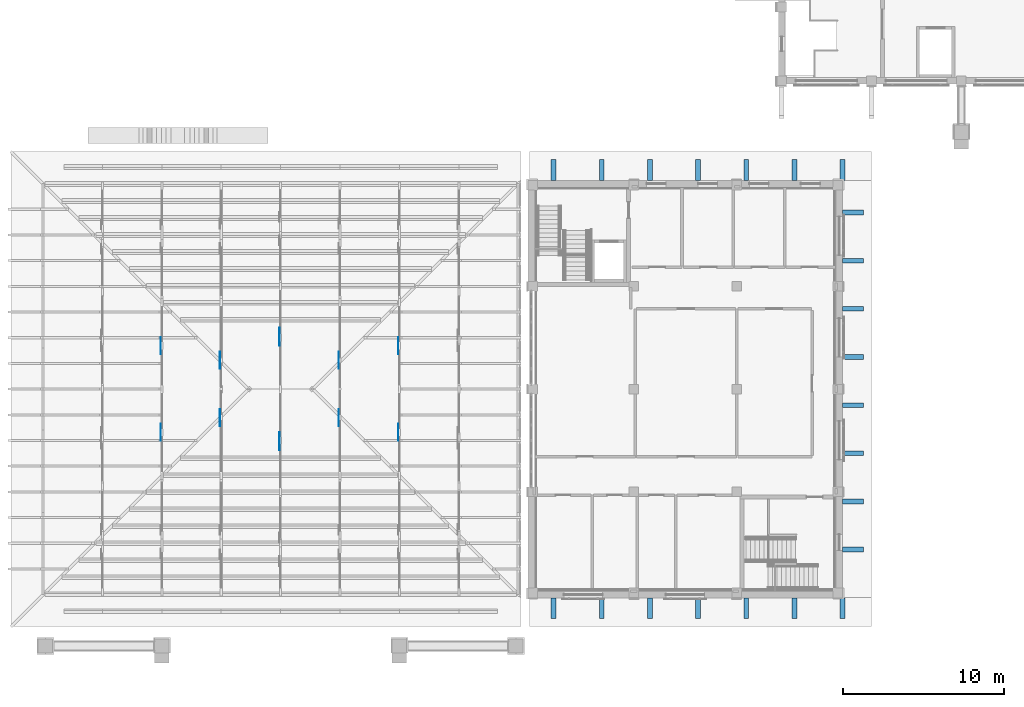
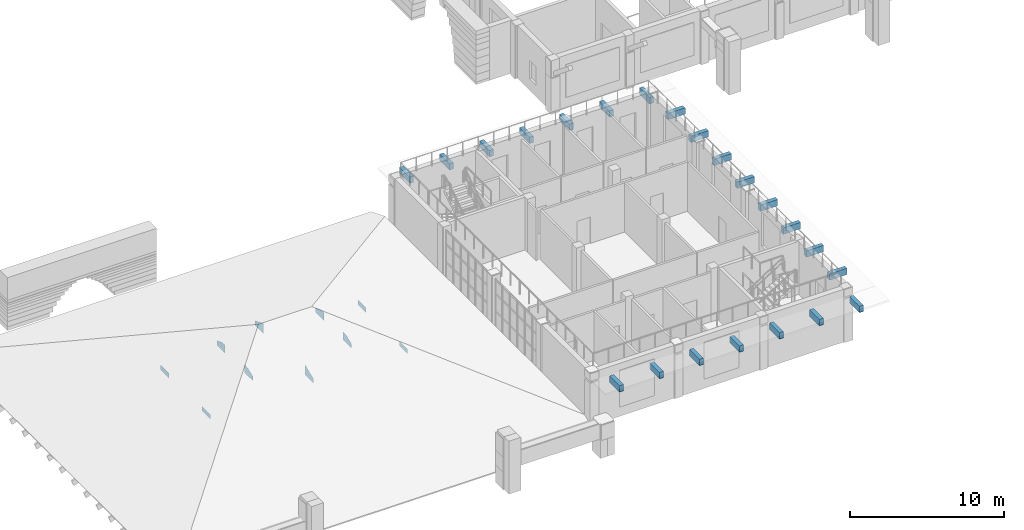
# One storey, part 34 of 68: 32 discrete accessories.
"""IFC4 building model written with IfcOpenShell, lengths in metres."""

from ifc_helpers import new_model, si_unit, direction, frame, origin, origin_2d, place, context, subcontext, project, spatial, polyline, rectangle, outline, extrude, element, save


model = new_model("IFC4")

# Units and contexts
model_context = context("Model", 3, precision=1e-05, world=origin(), true_north=direction((0.0, 1.0)))
body_context = subcontext(model_context, "Body", "Model", "MODEL_VIEW")
ifc_project = project(units=[si_unit("LENGTHUNIT", "METRE"), si_unit("AREAUNIT", "SQUARE_METRE"), si_unit("VOLUMEUNIT", "CUBIC_METRE"), si_unit("PLANEANGLEUNIT", "RADIAN"), si_unit("MASSUNIT", "GRAM", prefix="KILO")], contexts=[model_context])

# Site, building, storey
site_placement = place(None, origin())
site = spatial("IfcSite", under=ifc_project, at=site_placement, CompositionType="ELEMENT")
building_placement = place(site_placement, origin())
building = spatial("IfcBuilding", under=site, at=building_placement, Name="Wasatch Bagh Community Centre", CompositionType="ELEMENT")
storey_placement = place(building_placement, frame((0.0, 0.0, 8.39990234375)))
storey = spatial("IfcBuildingStorey", under=building, at=storey_placement, Name="L02", CompositionType="ELEMENT", Elevation=8.39990234375)

# Discrete accessories
discrete_accessory_1_placement = place(storey_placement, frame((73.5224609375, 15.767822265625, 2.988525390625), z_axis=(-1.0, 0.0, 0.0), x_axis=(0.0, 0.999998316644, 0.001834859297)))
element("IfcDiscreteAccessory", 1, at=discrete_accessory_1_placement, inside=storey, Name="Gusset plate", PredefinedType="BRACKET", context=body_context, shape_type="SweptSolid", body=[
    extrude(outline(polyline([(0.0, 0.0), (0.532227458428145, 0.0), (1.0642089847874836, 0.0009761128924024564), (1.0635648129934152, 0.3520497406596026), (-0.000642379939286426, 0.3500970669111022), (0.0, 0.0)])), origin(), (0.0, 0.0, -1.0), 0.011962890625),
])
discrete_accessory_2_placement = place(storey_placement, frame((73.5224609375, 21.16796875, 2.989501953125), z_axis=(-1.0, 0.0, 0.0), x_axis=(0.0, 1.0, 0.0)))
element("IfcDiscreteAccessory", 2, at=discrete_accessory_2_placement, inside=storey, Name="Gusset plate", PredefinedType="BRACKET", context=body_context, shape_type="SweptSolid", body=[
    extrude(outline(polyline([(0.0, 0.0), (0.531982421875, 0.0), (1.064208984375, 0.0009765625), (1.064208984375, 0.35107421875), (0.0, 0.35107421875), (0.0, 0.0)])), origin(), (0.0, 0.0, -1.0), 0.011962890625),
])
discrete_accessory_3_placement = place(storey_placement, frame((77.222412109375, 16.67431640625, 4.195556640625), z_axis=(-1.0, 0.0, 0.0), x_axis=(0.0, 0.927123436593, 0.374756098443)))
element("IfcDiscreteAccessory", 3, at=discrete_accessory_3_placement, inside=storey, Name="Gusset plate", PredefinedType="BRACKET", context=body_context, shape_type="SweptSolid", body=[
    extrude(outline(polyline([(0.0, 0.0), (0.6749181362242391, 0.0), (1.0964163028626952, 0.1350889857133798), (0.8581680410594048, 0.7245004673753813), (-0.13120123173038348, 0.3245837422055723), (0.0, 0.0)])), origin(), (0.0, 0.0, -1.0), 0.011962890625),
])
discrete_accessory_4_placement = place(storey_placement, frame((77.222412109375, 20.258544921875, 4.481201171875), z_axis=(-1.0, 0.0, 0.0), x_axis=(0.0, 0.997264743618, -0.0739123206)))
element("IfcDiscreteAccessory", 4, at=discrete_accessory_4_placement, inside=storey, Name="Gusset plate", PredefinedType="BRACKET", context=body_context, shape_type="SweptSolid", body=[
    extrude(outline(polyline([(0.0, 0.0), (0.4426169207572723, 0.0), (1.085332424183689, 0.20598852458262956), (1.1112089543937504, 0.5551285739840567), (0.04698918038145063, 0.6340032696243488), (0.0, 0.0)])), origin(), (0.0, 0.0, -1.0), 0.011962890625),
])
discrete_accessory_5_placement = place(storey_placement, frame((80.92236328125, 15.19384765625, 3.593505859375), z_axis=(-1.0, 0.0, 0.0), x_axis=(0.0, 0.925386584054, 0.379024629876)))
element("IfcDiscreteAccessory", 5, at=discrete_accessory_5_placement, inside=storey, Name="Gusset plate", PredefinedType="BRACKET", context=body_context, shape_type="SweptSolid", body=[
    extrude(outline(polyline([(0.0, 0.0), (0.6550788419898153, 2.7755575615628914e-17), (1.197205827170472, 0.002016669234483237), (0.893319869037209, 0.7439525925824595), (-0.13260309927069602, 0.32374974974349874), (0.0, 0.0)])), origin(), (0.0, 0.0, -1.0), 0.011962890625),
])
discrete_accessory_6_placement = place(storey_placement, frame((80.92236328125, 21.697509765625, 4.04541015625), z_axis=(-1.0, 0.0, 0.0), x_axis=(0.0, 0.926790113159, -0.375579666849)))
element("IfcDiscreteAccessory", 6, at=discrete_accessory_6_placement, inside=storey, Name="Gusset plate", PredefinedType="BRACKET", context=body_context, shape_type="SweptSolid", body=[
    extrude(outline(polyline([(0.0, 0.0), (0.5421307360921986, 0.0), (1.1972050457014904, 0.0024368242913588856), (1.3286029125458079, 0.32667760362661646), (0.3011239321121687, 0.7430612137731932), (0.0, 0.0)])), origin(), (0.0, 0.0, -1.0), 0.011962890625),
])
discrete_accessory_7_placement = place(storey_placement, frame((84.622314453125, 16.67431640625, 4.195556640625), z_axis=(-1.0, 0.0, 0.0), x_axis=(0.0, 0.927123436593, 0.374756098443)))
element("IfcDiscreteAccessory", 7, at=discrete_accessory_7_placement, inside=storey, Name="Gusset plate", PredefinedType="BRACKET", context=body_context, shape_type="SweptSolid", body=[
    extrude(outline(polyline([(0.0, 0.0), (0.6749181362242391, 0.0), (1.0964163028626952, 0.1350889857133798), (0.8581680410594048, 0.7245004673753813), (-0.13120123173038348, 0.3245837422055723), (0.0, 0.0)])), origin(), (0.0, 0.0, -1.0), 0.011962890625),
])
discrete_accessory_8_placement = place(storey_placement, frame((84.622314453125, 20.258544921875, 4.481201171875), z_axis=(-1.0, 0.0, 0.0), x_axis=(0.0, 0.997264743618, -0.0739123206)))
element("IfcDiscreteAccessory", 8, at=discrete_accessory_8_placement, inside=storey, Name="Gusset plate", PredefinedType="BRACKET", context=body_context, shape_type="SweptSolid", body=[
    extrude(outline(polyline([(0.0, 0.0), (0.4426169207572723, 0.0), (1.085332424183689, 0.20598852458262956), (1.1112089543937504, 0.5551285739840567), (0.04698918038145063, 0.6340032696243488), (0.0, 0.0)])), origin(), (0.0, 0.0, -1.0), 0.011962890625),
])
discrete_accessory_9_placement = place(storey_placement, frame((88.322509765625, 15.767822265625, 2.988525390625), z_axis=(-1.0, 0.0, 0.0), x_axis=(0.0, 0.999998316644, 0.001834859297)))
element("IfcDiscreteAccessory", 9, at=discrete_accessory_9_placement, inside=storey, Name="Gusset plate", PredefinedType="BRACKET", context=body_context, shape_type="SweptSolid", body=[
    extrude(outline(polyline([(0.0, 0.0), (0.532227458428145, 0.0), (1.0642089847874836, 0.0009761128924024564), (1.0635648129934152, 0.3520497406596026), (-0.000642379939286426, 0.3500970669111022), (0.0, 0.0)])), origin(), (0.0, 0.0, -1.0), 0.011962890625),
])
discrete_accessory_10_placement = place(storey_placement, frame((88.322509765625, 21.16796875, 2.989501953125), z_axis=(-1.0, 0.0, 0.0), x_axis=(0.0, 1.0, 0.0)))
element("IfcDiscreteAccessory", 10, at=discrete_accessory_10_placement, inside=storey, Name="Gusset plate", PredefinedType="BRACKET", context=body_context, shape_type="SweptSolid", body=[
    extrude(outline(polyline([(0.0, 0.0), (0.531982421875, 0.0), (1.064208984375, 0.0009765625), (1.064208984375, 0.35107421875), (0.0, 0.35107421875), (0.0, 0.0)])), origin(), (0.0, 0.0, -1.0), 0.011962890625),
])
for number, where, z_axis, x_axis, name in (
    (11, (98.0, 5.35009765625, 2.97021484375), (0.0, 0.0, 1.0), (1.0, 0.0, 0.0), "Fixing bracket"),
    (12, (101.0, 5.35009765625, 2.97021484375), (0.0, 0.0, 1.0), (1.0, 0.0, 0.0), "Fixing bracket"),
    (13, (104.0, 5.35009765625, 2.97021484375), (0.0, 0.0, 1.0), (1.0, 0.0, 0.0), "Fixing bracket"),
    (14, (107.0, 5.35009765625, 2.97021484375), (0.0, 0.0, 1.0), (1.0, 0.0, 0.0), "Fixing bracket"),
    (15, (110.0, 5.35009765625, 2.97021484375), (0.0, 0.0, 1.0), (1.0, 0.0, 0.0), "Fixing bracket"),
    (16, (113.0, 5.35009765625, 2.97021484375), (0.0, 0.0, 1.0), (1.0, 0.0, 0.0), "Fixing bracket"),
    (17, (116.0, 5.35009765625, 2.97021484375), (0.0, 0.0, 1.0), (1.0, 0.0, 0.0), "Fixing bracket"),
):
    element("IfcDiscreteAccessory", number, at=place(storey_placement, frame(where, z_axis=z_axis, x_axis=x_axis)), inside=storey, Name=name, PredefinedType="BRACKET", context=body_context, shape_type="SweptSolid", body=[
        extrude(rectangle(XDim=0.300048828125, YDim=1.300048828125, at=origin_2d()), origin(), (0.0, 0.0, 1.0), 0.5),
    ])
for number, where, z_axis, x_axis, name in (
    (18, (116.64990234375, 9.0, 2.97021484375), (0.0, 0.0, 1.0), (1.0, 0.0, 0.0), "Fixing bracket"),
    (19, (116.64990234375, 12.0, 2.97021484375), (0.0, 0.0, 1.0), (1.0, 0.0, 0.0), "Fixing bracket"),
    (20, (116.64990234375, 15.0, 2.97021484375), (0.0, 0.0, 1.0), (1.0, 0.0, 0.0), "Fixing bracket"),
    (21, (116.64990234375, 18.0, 2.97021484375), (0.0, 0.0, 1.0), (1.0, 0.0, 0.0), "Fixing bracket"),
    (22, (116.64990234375, 21.0, 2.97021484375), (0.0, 0.0, 1.0), (1.0, 0.0, 0.0), "Fixing bracket"),
    (23, (116.64990234375, 24.0, 2.97021484375), (0.0, 0.0, 1.0), (1.0, 0.0, 0.0), "Fixing bracket"),
    (24, (116.64990234375, 27.0, 2.97021484375), (0.0, 0.0, 1.0), (1.0, 0.0, 0.0), "Fixing bracket"),
    (25, (116.64990234375, 30.0, 2.97021484375), (0.0, 0.0, 1.0), (1.0, 0.0, 0.0), "Fixing bracket"),
):
    element("IfcDiscreteAccessory", number, at=place(storey_placement, frame(where, z_axis=z_axis, x_axis=x_axis)), inside=storey, Name=name, PredefinedType="BRACKET", context=body_context, shape_type="SweptSolid", body=[
        extrude(rectangle(XDim=1.300048828125, YDim=0.300048828125, at=origin_2d()), origin(), (0.0, 0.0, 1.0), 0.5),
    ])
for number, where, z_axis, x_axis, name in (
    (26, (98.0, 32.64990234375, 2.97021484375), (0.0, 0.0, 1.0), (1.0, 0.0, 0.0), "Fixing bracket"),
    (27, (101.0, 32.64990234375, 2.97021484375), (0.0, 0.0, 1.0), (1.0, 0.0, 0.0), "Fixing bracket"),
    (28, (104.0, 32.64990234375, 2.97021484375), (0.0, 0.0, 1.0), (1.0, 0.0, 0.0), "Fixing bracket"),
    (29, (107.0, 32.64990234375, 2.97021484375), (0.0, 0.0, 1.0), (1.0, 0.0, 0.0), "Fixing bracket"),
    (30, (110.0, 32.64990234375, 2.97021484375), (0.0, 0.0, 1.0), (1.0, 0.0, 0.0), "Fixing bracket"),
    (31, (113.0, 32.64990234375, 2.97021484375), (0.0, 0.0, 1.0), (1.0, 0.0, 0.0), "Fixing bracket"),
    (32, (116.0, 32.64990234375, 2.97021484375), (0.0, 0.0, 1.0), (1.0, 0.0, 0.0), "Fixing bracket"),
):
    element("IfcDiscreteAccessory", number, at=place(storey_placement, frame(where, z_axis=z_axis, x_axis=x_axis)), inside=storey, Name=name, PredefinedType="BRACKET", context=body_context, shape_type="SweptSolid", body=[
        extrude(rectangle(XDim=0.300048828125, YDim=1.300048828125, at=origin_2d()), origin(), (0.0, 0.0, 1.0), 0.5),
    ])

save(model, "model.ifc")
